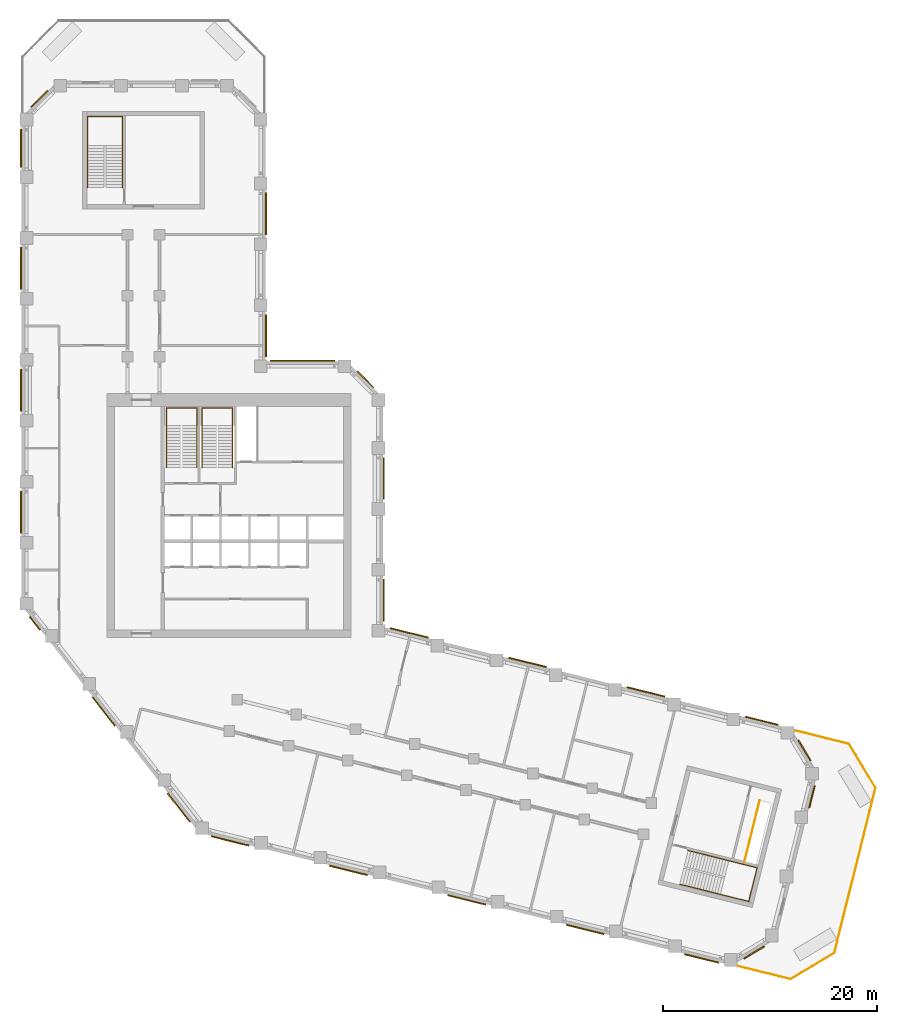
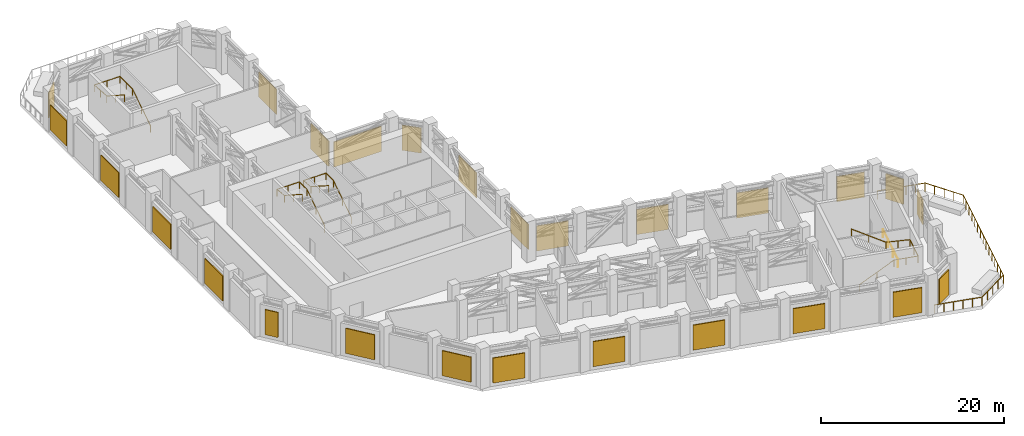
# One storey, part 13 of 14: 26 shading devices, 6 railings.
"""IFC4 building model written with IfcOpenShell, lengths in metres."""

from ifc_helpers import new_model, si_unit, direction, frame, origin, origin_2d, place, context, subcontext, project, spatial, rectangle, circle, extrude, material, layer, layer_set, type_object, element, save


model = new_model("IFC4")

# Units and contexts
model_context = context("Model", 3, precision=1e-05, world=origin(), true_north=direction((0.0, 1.0)))
body_context = subcontext(model_context, "Body", "Model", "MODEL_VIEW")
ifc_project = project(units=[si_unit("LENGTHUNIT", "METRE"), si_unit("AREAUNIT", "SQUARE_METRE"), si_unit("VOLUMEUNIT", "CUBIC_METRE"), si_unit("PLANEANGLEUNIT", "RADIAN"), si_unit("MASSUNIT", "GRAM", prefix="KILO")], contexts=[model_context])

# Site, building, storey
site_placement = place(None, origin())
site = spatial("IfcSite", under=ifc_project, at=site_placement, CompositionType="ELEMENT")
building_placement = place(site_placement, origin())
building = spatial("IfcBuilding", under=site, at=building_placement, Name="Meshkara Civic Tower", CompositionType="ELEMENT")
storey_placement = place(building_placement, frame((0.0, 0.0, 220.199951171875)))
storey = spatial("IfcBuildingStorey", under=building, at=storey_placement, Name="L50", CompositionType="ELEMENT", Elevation=220.199951171875)

# Shading devices
ifc_material_1 = material(Name="Bronze anodised aluminium louvre blades", Category="aluminium")
ifc_layer = layer(ifc_material_1, 0.1201171875)
ifc_layer_set = layer_set([ifc_layer], Name="PLANT LOUVRE BANK")
shading_device_type = type_object("IfcShadingDeviceType", Name="PLANT LOUVRE BANK", PredefinedType="USERDEFINED", material=ifc_layer_set)
shading_device_1_placement = place(storey_placement, frame((69.18701171875, 6.30908203125, 0.5), z_axis=(0.0, 0.0, 1.0), x_axis=(-0.970291503795, 0.241938830418, 0.0)))
element("IfcShadingDevice", 1, at=shading_device_1_placement, inside=storey, type_object=shading_device_type, Name="Louvre bank", ObjectType="LOUVRE", PredefinedType="USERDEFINED", context=body_context, shape_type="SweptSolid", body=[
    extrude(rectangle(XDim=3.159912109375, YDim=0.1201171875, at=origin_2d()), origin(), (0.0, 0.0, 1.0), 3.35009765625),
])
shading_device_2_placement = place(storey_placement, frame((58.361083984375, 9.009033203125, 0.5), z_axis=(0.0, 0.0, 1.0), x_axis=(-0.970291503795, 0.241938830418, 0.0)))
element("IfcShadingDevice", 2, at=shading_device_2_placement, inside=storey, type_object=shading_device_type, Name="Louvre bank", ObjectType="LOUVRE", PredefinedType="USERDEFINED", context=body_context, shape_type="SweptSolid", body=[
    extrude(rectangle(XDim=3.64501953125, YDim=0.1201171875, at=origin_2d()), origin(), (0.0, 0.0, 1.0), 3.35009765625),
])
for number, where, z_axis, x_axis, name in (
    (3, (47.300048828125, 11.76708984375, 0.5), (0.0, 0.0, 1.0), (-0.970291503795, 0.241938830418, 0.0), "Louvre bank"),
    (4, (36.239013671875, 14.52490234375, 0.5), (0.0, 0.0, 1.0), (-0.970291503795, 0.241938830418, 0.0), "Louvre bank"),
):
    element("IfcShadingDevice", number, at=place(storey_placement, frame(where, z_axis=z_axis, x_axis=x_axis)), inside=storey, type_object=shading_device_type, Name=name, ObjectType="LOUVRE", PredefinedType="USERDEFINED", context=body_context, shape_type="SweptSolid", body=[
        extrude(rectangle(XDim=3.64599609375, YDim=0.1201171875, at=origin_2d()), origin(), (0.0, 0.0, 1.0), 3.35009765625),
    ])
for number, where, z_axis, x_axis, name in (
    (5, (33.860107421875, 17.569091796875, 0.5), (0.0, 0.0, 1.0), (0.0, 1.0, 0.0), "Louvre bank"),
    (6, (33.860107421875, 28.968994140625, 0.5), (0.0, 0.0, 1.0), (0.0, 1.0, 0.0), "Louvre bank"),
):
    element("IfcShadingDevice", number, at=place(storey_placement, frame(where, z_axis=z_axis, x_axis=x_axis)), inside=storey, type_object=shading_device_type, Name=name, ObjectType="LOUVRE", PredefinedType="USERDEFINED", context=body_context, shape_type="SweptSolid", body=[
        extrude(rectangle(XDim=3.89990234375, YDim=0.1201171875, at=origin_2d()), origin(), (0.0, 0.0, 1.0), 3.35009765625),
    ])
shading_device_3_placement = place(storey_placement, frame((32.132080078125, 38.23193359375, 0.5), z_axis=(0.0, 0.0, 1.0), x_axis=(-0.707106781187, 0.707106781187, 0.0)))
element("IfcShadingDevice", 7, at=shading_device_3_placement, inside=storey, type_object=shading_device_type, Name="Louvre bank", ObjectType="LOUVRE", PredefinedType="USERDEFINED", context=body_context, shape_type="SweptSolid", body=[
    extrude(rectangle(XDim=2.166015625, YDim=0.1201171875, at=origin_2d()), origin(), (0.0, 0.0, 1.0), 3.35009765625),
])
shading_device_4_placement = place(storey_placement, frame((26.27197265625, 39.9599609375, 0.5), z_axis=(0.0, 0.0, 1.0), x_axis=(-1.0, 0.0, 0.0)))
element("IfcShadingDevice", 8, at=shading_device_4_placement, inside=storey, type_object=shading_device_type, Name="Louvre bank", ObjectType="LOUVRE", PredefinedType="USERDEFINED", context=body_context, shape_type="SweptSolid", body=[
    extrude(rectangle(XDim=6.0439453125, YDim=0.1201171875, at=origin_2d()), origin(), (0.0, 0.0, 1.0), 3.35009765625),
])
for number, where, z_axis, x_axis, name in (
    (9, (22.860107421875, 42.300048828125, 0.5), (0.0, 0.0, 1.0), (0.0, 1.0, 0.0), "Louvre bank"),
    (10, (22.860107421875, 53.699951171875, 0.5), (0.0, 0.0, 1.0), (0.0, 1.0, 0.0), "Louvre bank"),
):
    element("IfcShadingDevice", number, at=place(storey_placement, frame(where, z_axis=z_axis, x_axis=x_axis)), inside=storey, type_object=shading_device_type, Name=name, ObjectType="LOUVRE", PredefinedType="USERDEFINED", context=body_context, shape_type="SweptSolid", body=[
        extrude(rectangle(XDim=3.89990234375, YDim=0.1201171875, at=origin_2d()), origin(), (0.0, 0.0, 1.0), 3.35009765625),
    ])
shading_device_5_placement = place(storey_placement, frame((1.66796875, 64.451904296875, 0.5), z_axis=(0.0, 0.0, 1.0), x_axis=(-0.707106781187, -0.707106781187, 0.0)))
element("IfcShadingDevice", 11, at=shading_device_5_placement, inside=storey, type_object=shading_device_type, Name="Louvre bank", ObjectType="LOUVRE", PredefinedType="USERDEFINED", context=body_context, shape_type="SweptSolid", body=[
    extrude(rectangle(XDim=2.166015625, YDim=0.1201171875, at=origin_2d()), origin(), (0.0, 0.0, 1.0), 3.35009765625),
])
shading_device_6_placement = place(storey_placement, frame((-0.06005859375, 59.8349609375, 0.5), z_axis=(0.0, 0.0, 1.0), x_axis=(0.0, -1.0, 0.0)))
element("IfcShadingDevice", 12, at=shading_device_6_placement, inside=storey, type_object=shading_device_type, Name="Louvre bank", ObjectType="LOUVRE", PredefinedType="USERDEFINED", context=body_context, shape_type="SweptSolid", body=[
    extrude(rectangle(XDim=3.55908203125, YDim=0.1201171875, at=origin_2d()), origin(), (0.0, 0.0, 1.0), 3.35009765625),
])
for number, where, z_axis, x_axis, name in (
    (13, (-0.06005859375, 48.60498046875, 0.5), (0.0, 0.0, 1.0), (0.0, -1.0, 0.0), "Louvre bank"),
    (14, (-0.06005859375, 37.205078125, 0.5), (0.0, 0.0, 1.0), (0.0, -1.0, 0.0), "Louvre bank"),
    (15, (-0.06005859375, 25.804931640625, 0.5), (0.0, 0.0, 1.0), (0.0, -1.0, 0.0), "Louvre bank"),
):
    element("IfcShadingDevice", number, at=place(storey_placement, frame(where, z_axis=z_axis, x_axis=x_axis)), inside=storey, type_object=shading_device_type, Name=name, ObjectType="LOUVRE", PredefinedType="USERDEFINED", context=body_context, shape_type="SweptSolid", body=[
        extrude(rectangle(XDim=3.89990234375, YDim=0.1201171875, at=origin_2d()), origin(), (0.0, 0.0, 1.0), 3.35009765625),
    ])
shading_device_7_placement = place(storey_placement, frame((1.22998046875, 15.427978515625, 0.5), z_axis=(0.0, 0.0, 1.0), x_axis=(0.615661475326, -0.788010753607, 0.0)))
element("IfcShadingDevice", 16, at=shading_device_7_placement, inside=storey, type_object=shading_device_type, Name="Louvre bank", ObjectType="LOUVRE", PredefinedType="USERDEFINED", context=body_context, shape_type="SweptSolid", body=[
    extrude(rectangle(XDim=1.555908203125, YDim=0.1201171875, at=origin_2d()), origin(), (0.0, 0.0, 1.0), 3.35009765625),
])
for number, where, z_axis, x_axis, name in (
    (17, (7.676025390625, 7.177001953125, 0.5), (0.0, 0.0, 1.0), (0.615661475326, -0.788010753607, 0.0), "Louvre bank"),
    (18, (14.695068359375, -1.805908203125, 0.5), (0.0, 0.0, 1.0), (0.615661475326, -0.788010753607, 0.0), "Louvre bank"),
):
    element("IfcShadingDevice", number, at=place(storey_placement, frame(where, z_axis=z_axis, x_axis=x_axis)), inside=storey, type_object=shading_device_type, Name=name, ObjectType="LOUVRE", PredefinedType="USERDEFINED", context=body_context, shape_type="SweptSolid", body=[
        extrude(rectangle(XDim=3.416015625, YDim=0.1201171875, at=origin_2d()), origin(), (0.0, 0.0, 1.0), 3.35009765625),
    ])
for number, where, z_axis, x_axis, name in (
    (19, (19.492919921875, -4.922119140625, 0.5), (0.0, 0.0, 1.0), (0.970299948462, -0.241904960708, 0.0), "Louvre bank"),
    (20, (30.553955078125, -7.679931640625, 0.5), (0.0, 0.0, 1.0), (0.970299948462, -0.241904960708, 0.0), "Louvre bank"),
    (21, (41.615966796875, -10.43798828125, 0.5), (0.0, 0.0, 1.0), (0.970299948462, -0.241904960708, 0.0), "Louvre bank"),
    (22, (52.677001953125, -13.195068359375, 0.5), (0.0, 0.0, 1.0), (0.970299948462, -0.241904960708, 0.0), "Louvre bank"),
):
    element("IfcShadingDevice", number, at=place(storey_placement, frame(where, z_axis=z_axis, x_axis=x_axis)), inside=storey, type_object=shading_device_type, Name=name, ObjectType="LOUVRE", PredefinedType="USERDEFINED", context=body_context, shape_type="SweptSolid", body=[
        extrude(rectangle(XDim=3.64599609375, YDim=0.1201171875, at=origin_2d()), origin(), (0.0, 0.0, 1.0), 3.35009765625),
    ])
shading_device_8_placement = place(storey_placement, frame((63.572998046875, -15.912109375, 0.5), z_axis=(0.0, 0.0, 1.0), x_axis=(0.970299948462, -0.241904960708, 0.0)))
element("IfcShadingDevice", 23, at=shading_device_8_placement, inside=storey, type_object=shading_device_type, Name="Louvre bank", ObjectType="LOUVRE", PredefinedType="USERDEFINED", context=body_context, shape_type="SweptSolid", body=[
    extrude(rectangle(XDim=3.302978515625, YDim=0.1201171875, at=origin_2d()), origin(), (0.0, 0.0, 1.0), 3.35009765625),
])
shading_device_9_placement = place(storey_placement, frame((68.471923828125, -15.35302734375, 0.5), z_axis=(0.0, 0.0, 1.0), x_axis=(0.8571852784, 0.515008153813, 0.0)))
element("IfcShadingDevice", 24, at=shading_device_9_placement, inside=storey, type_object=shading_device_type, Name="Louvre bank", ObjectType="LOUVRE", PredefinedType="USERDEFINED", context=body_context, shape_type="SweptSolid", body=[
    extrude(rectangle(XDim=2.217041015625, YDim=0.1201171875, at=origin_2d()), origin(), (0.0, 0.0, 1.0), 3.35009765625),
])
shading_device_10_placement = place(storey_placement, frame((73.882080078125, -0.797119140625, 0.5), z_axis=(0.0, 0.0, 1.0), x_axis=(0.2419218956, 0.970295726276, 0.0)))
element("IfcShadingDevice", 25, at=shading_device_10_placement, inside=storey, type_object=shading_device_type, Name="Louvre bank", ObjectType="LOUVRE", PredefinedType="USERDEFINED", context=body_context, shape_type="SweptSolid", body=[
    extrude(rectangle(XDim=2.133056640625, YDim=0.1201171875, at=origin_2d()), origin(), (0.0, 0.0, 1.0), 3.35009765625),
])
shading_device_11_placement = place(storey_placement, frame((73.180908203125, 3.532958984375, 0.5), z_axis=(0.0, 0.0, 1.0), x_axis=(-0.515097915221, 0.857131342173, 0.0)))
element("IfcShadingDevice", 26, at=shading_device_11_placement, inside=storey, type_object=shading_device_type, Name="Louvre bank", ObjectType="LOUVRE", PredefinedType="USERDEFINED", context=body_context, shape_type="SweptSolid", body=[
    extrude(rectangle(XDim=2.216064453125, YDim=0.1201171875, at=origin_2d()), origin(), (0.0, 0.0, 1.0), 3.35009765625),
])

# Railings
ifc_material_2 = material(Name="Steel guard", Category="steel")
railing_type_1 = type_object("IfcRailingType", Name="Stair guard 1100", PredefinedType="GUARDRAIL", material=ifc_material_2)
railing_1_placement = place(storey_placement, frame((67.580078125, -6.85302734375, 0.0)))
element("IfcRailing", 27, at=railing_1_placement, inside=storey, type_object=railing_type_1, Name="L50 ESBT well guard", PredefinedType="GUARDRAIL", context=body_context, shape_type="SweptSolid", body=[
    extrude(circle(Radius=0.02392578125, at=origin_2d()), frame((0.0, 0.0, 1.076171875), z_axis=(0.241793138113, 0.970327820049, 0.0), x_axis=(-0.970327820049, 0.241793138113, 0.0)), (0.0, 0.0, 1.0), 5.880615234375),
    extrude(circle(Radius=0.02099609375, at=origin_2d()), origin(), (0.0, 0.0, 1.0), 1.052001953125),
    extrude(circle(Radius=0.02099609375, at=origin_2d()), frame((0.473876953125, 1.902099609375, 0.0)), (0.0, 0.0, 1.0), 1.052001953125),
    extrude(circle(Radius=0.02099609375, at=origin_2d()), frame((0.947998046875, 3.803955078125, 0.0)), (0.0, 0.0, 1.0), 1.052001953125),
    extrude(circle(Radius=0.02099609375, at=origin_2d()), frame((1.421875, 5.7060546875, 0.0)), (0.0, 0.0, 1.0), 1.052001953125),
])
ifc_material_3 = material(Name="Steel handrail", Category="steel")
railing_type_2 = type_object("IfcRailingType", Name="Stair handrail 900", PredefinedType="HANDRAIL", material=ifc_material_3)
railing_2_placement = place(storey_placement, frame((16.375, 30.0, 0.179931640625)))
element("IfcRailing", 28, at=railing_2_placement, inside=storey, type_object=railing_type_2, Name="L50 ST1 stair handrail 1", PredefinedType="HANDRAIL", context=body_context, shape_type="SweptSolid", body=[
    extrude(circle(Radius=0.02392578125, at=origin_2d()), frame((0.0, 0.0, 0.8759765625), z_axis=(0.0, 0.841171666519, 0.540768182723), x_axis=(-1.0, 0.0, 0.0)), (0.0, 0.0, 1.0), 4.66015625),
    extrude(circle(Radius=0.02392578125, at=origin_2d()), frame((0.0, 3.919921875, 3.39599609375), z_axis=(0.0, 1.0, 0.0), x_axis=(-1.0, 0.0, 0.0)), (0.0, 0.0, 1.0), 1.630126953125),
    extrude(circle(Radius=0.02392578125, at=origin_2d()), frame((0.0, 5.550048828125, 3.39599609375), z_axis=(-1.0, 0.0, 0.0), x_axis=(0.0, -1.0, 0.0)), (0.0, 0.0, 1.0), 2.85009765625),
    extrude(circle(Radius=0.02392578125, at=origin_2d()), frame((-2.85009765625, 5.550048828125, 3.39599609375), z_axis=(0.0, -0.993947108537, 0.109859662438), x_axis=(1.0, 0.0, 0.0)), (0.0, 0.0, 1.0), 1.64013671875),
    extrude(circle(Radius=0.02392578125, at=origin_2d()), frame((-2.85009765625, 3.919921875, 3.576171875), z_axis=(0.0, -0.841171666519, 0.540768182723), x_axis=(1.0, 0.0, 0.0)), (0.0, 0.0, 1.0), 4.66015625),
    extrude(circle(Radius=0.02099609375, at=origin_2d()), origin(), (0.0, 0.0, 1.0), 0.851806640625),
    extrude(circle(Radius=0.02099609375, at=origin_2d()), frame((0.0, 1.9599609375, 1.260009765625)), (0.0, 0.0, 1.0), 0.851806640625),
    extrude(circle(Radius=0.02099609375, at=origin_2d()), frame((0.0, 3.919921875, 2.52001953125)), (0.0, 0.0, 1.0), 0.851806640625),
    extrude(circle(Radius=0.02099609375, at=origin_2d()), frame((0.0, 5.550048828125, 2.52001953125)), (0.0, 0.0, 1.0), 0.851806640625),
    extrude(circle(Radius=0.02099609375, at=origin_2d()), frame((-1.425048828125, 5.550048828125, 2.52001953125)), (0.0, 0.0, 1.0), 0.851806640625),
    extrude(circle(Radius=0.02099609375, at=origin_2d()), frame((-2.85009765625, 5.550048828125, 2.52001953125)), (0.0, 0.0, 1.0), 0.851806640625),
    extrude(circle(Radius=0.02099609375, at=origin_2d()), frame((-2.85009765625, 3.919921875, 2.7001953125)), (0.0, 0.0, 1.0), 0.851806640625),
    extrude(circle(Radius=0.02099609375, at=origin_2d()), frame((-2.85009765625, 1.9599609375, 3.960205078125)), (0.0, 0.0, 1.0), 0.851806640625),
    extrude(circle(Radius=0.02099609375, at=origin_2d()), frame((-2.85009765625, 0.0, 5.22021484375)), (0.0, 0.0, 1.0), 0.851806640625),
])
railing_3_placement = place(storey_placement, frame((19.72509765625, 30.0, 0.179931640625)))
element("IfcRailing", 29, at=railing_3_placement, inside=storey, type_object=railing_type_2, Name="L50 ST2 stair handrail 1", PredefinedType="HANDRAIL", context=body_context, shape_type="SweptSolid", body=[
    extrude(circle(Radius=0.02392578125, at=origin_2d()), frame((0.0, 0.0, 0.8759765625), z_axis=(0.0, 0.841171666519, 0.540768182723), x_axis=(-1.0, 0.0, 0.0)), (0.0, 0.0, 1.0), 4.66015625),
    extrude(circle(Radius=0.02392578125, at=origin_2d()), frame((0.0, 3.919921875, 3.39599609375), z_axis=(0.0, 1.0, 0.0), x_axis=(-1.0, 0.0, 0.0)), (0.0, 0.0, 1.0), 1.630126953125),
    extrude(circle(Radius=0.02392578125, at=origin_2d()), frame((0.0, 5.550048828125, 3.39599609375), z_axis=(-1.0, 0.0, 0.0), x_axis=(0.0, -1.0, 0.0)), (0.0, 0.0, 1.0), 2.85009765625),
    extrude(circle(Radius=0.02392578125, at=origin_2d()), frame((-2.85009765625, 5.550048828125, 3.39599609375), z_axis=(0.0, -0.993947108537, 0.109859662438), x_axis=(1.0, 0.0, 0.0)), (0.0, 0.0, 1.0), 1.64013671875),
    extrude(circle(Radius=0.02392578125, at=origin_2d()), frame((-2.85009765625, 3.919921875, 3.576171875), z_axis=(0.0, -0.841171666519, 0.540768182723), x_axis=(1.0, 0.0, 0.0)), (0.0, 0.0, 1.0), 4.66015625),
    extrude(circle(Radius=0.02099609375, at=origin_2d()), origin(), (0.0, 0.0, 1.0), 0.851806640625),
    extrude(circle(Radius=0.02099609375, at=origin_2d()), frame((0.0, 1.9599609375, 1.260009765625)), (0.0, 0.0, 1.0), 0.851806640625),
    extrude(circle(Radius=0.02099609375, at=origin_2d()), frame((0.0, 3.919921875, 2.52001953125)), (0.0, 0.0, 1.0), 0.851806640625),
    extrude(circle(Radius=0.02099609375, at=origin_2d()), frame((0.0, 5.550048828125, 2.52001953125)), (0.0, 0.0, 1.0), 0.851806640625),
    extrude(circle(Radius=0.02099609375, at=origin_2d()), frame((-1.425048828125, 5.550048828125, 2.52001953125)), (0.0, 0.0, 1.0), 0.851806640625),
    extrude(circle(Radius=0.02099609375, at=origin_2d()), frame((-2.85009765625, 5.550048828125, 2.52001953125)), (0.0, 0.0, 1.0), 0.851806640625),
    extrude(circle(Radius=0.02099609375, at=origin_2d()), frame((-2.85009765625, 3.919921875, 2.7001953125)), (0.0, 0.0, 1.0), 0.851806640625),
    extrude(circle(Radius=0.02099609375, at=origin_2d()), frame((-2.85009765625, 1.9599609375, 3.960205078125)), (0.0, 0.0, 1.0), 0.851806640625),
    extrude(circle(Radius=0.02099609375, at=origin_2d()), frame((-2.85009765625, 0.0, 5.22021484375)), (0.0, 0.0, 1.0), 0.851806640625),
])
railing_4_placement = place(storey_placement, frame((9.425048828125, 56.169921875, 0.179931640625)))
element("IfcRailing", 30, at=railing_4_placement, inside=storey, type_object=railing_type_2, Name="L50 ESA4 stair handrail 1", PredefinedType="HANDRAIL", context=body_context, shape_type="SweptSolid", body=[
    extrude(circle(Radius=0.02392578125, at=origin_2d()), frame((0.0, 0.0, 0.8759765625), z_axis=(0.0, 0.841186985886, 0.540744352514), x_axis=(-1.0, 0.0, 0.0)), (0.0, 0.0, 1.0), 4.660400390625),
    extrude(circle(Radius=0.02392578125, at=origin_2d()), frame((0.0, 3.920166015625, 3.39599609375), z_axis=(0.0, 1.0, 0.0), x_axis=(-1.0, 0.0, 0.0)), (0.0, 0.0, 1.0), 2.72998046875),
    extrude(circle(Radius=0.02392578125, at=origin_2d()), frame((0.0, 6.650146484375, 3.39599609375), z_axis=(-1.0, 0.0, 0.0), x_axis=(0.0, -1.0, 0.0)), (0.0, 0.0, 1.0), 3.25),
    extrude(circle(Radius=0.02392578125, at=origin_2d()), frame((-3.25, 6.650146484375, 3.39599609375), z_axis=(0.0, -0.997829160162, 0.065855653747), x_axis=(1.0, 0.0, 0.0)), (0.0, 0.0, 1.0), 2.73583984375),
    extrude(circle(Radius=0.02392578125, at=origin_2d()), frame((-3.25, 3.920166015625, 3.576171875), z_axis=(0.0, -0.841186985886, 0.540744352514), x_axis=(1.0, 0.0, 0.0)), (0.0, 0.0, 1.0), 4.660400390625),
    extrude(circle(Radius=0.02099609375, at=origin_2d()), origin(), (0.0, 0.0, 1.0), 0.851806640625),
    extrude(circle(Radius=0.02099609375, at=origin_2d()), frame((0.0, 1.9599609375, 1.260009765625)), (0.0, 0.0, 1.0), 0.851806640625),
    extrude(circle(Radius=0.02099609375, at=origin_2d()), frame((0.0, 3.920166015625, 2.52001953125)), (0.0, 0.0, 1.0), 0.851806640625),
    extrude(circle(Radius=0.02099609375, at=origin_2d()), frame((0.0, 5.28515625, 2.52001953125)), (0.0, 0.0, 1.0), 0.851806640625),
    extrude(circle(Radius=0.02099609375, at=origin_2d()), frame((0.0, 6.650146484375, 2.52001953125)), (0.0, 0.0, 1.0), 0.851806640625),
    extrude(circle(Radius=0.02099609375, at=origin_2d()), frame((-1.625, 6.650146484375, 2.52001953125)), (0.0, 0.0, 1.0), 0.851806640625),
    extrude(circle(Radius=0.02099609375, at=origin_2d()), frame((-3.25, 6.650146484375, 2.52001953125)), (0.0, 0.0, 1.0), 0.851806640625),
    extrude(circle(Radius=0.02099609375, at=origin_2d()), frame((-3.25, 5.28515625, 2.610107421875)), (0.0, 0.0, 1.0), 0.851806640625),
    extrude(circle(Radius=0.02099609375, at=origin_2d()), frame((-3.25, 3.920166015625, 2.7001953125)), (0.0, 0.0, 1.0), 0.851806640625),
    extrude(circle(Radius=0.02099609375, at=origin_2d()), frame((-3.25, 1.9599609375, 3.960205078125)), (0.0, 0.0, 1.0), 0.851806640625),
    extrude(circle(Radius=0.02099609375, at=origin_2d()), frame((-3.25, 0.0, 5.22021484375)), (0.0, 0.0, 1.0), 0.851806640625),
])
railing_5_placement = place(storey_placement, frame((61.526123046875, -8.97607421875, 0.179931640625)))
element("IfcRailing", 31, at=railing_5_placement, inside=storey, type_object=railing_type_2, Name="L50 ESB4 stair handrail 1", PredefinedType="HANDRAIL", context=body_context, shape_type="SweptSolid", body=[
    extrude(circle(Radius=0.02392578125, at=origin_2d()), frame((0.0, 0.0, 0.8759765625), z_axis=(0.816169267298, -0.203583912492, 0.540759944608), x_axis=(0.242022691489, 0.970270589477, 0.0)), (0.0, 0.0, 1.0), 4.66015625),
    extrude(circle(Radius=0.02392578125, at=origin_2d()), frame((3.803466796875, -0.94873046875, 3.39599609375), z_axis=(0.970252874907, -0.242093698255, 0.0), x_axis=(0.242093698255, 0.970252874907, 0.0)), (0.0, 0.0, 1.0), 2.72998046875),
    extrude(circle(Radius=0.02392578125, at=origin_2d()), frame((6.4521484375, -1.609619140625, 3.39599609375), z_axis=(0.242040676986, 0.970266103027, 0.0), x_axis=(-0.970266103027, 0.242040676986, 0.0)), (0.0, 0.0, 1.0), 3.25),
    extrude(circle(Radius=0.02392578125, at=origin_2d()), frame((7.23876953125, 1.543701171875, 3.39599609375), z_axis=(-0.968146469022, 0.241568116107, 0.065857875762), x_axis=(-0.242093698255, -0.970252874907, 0.0)), (0.0, 0.0, 1.0), 2.73583984375),
    extrude(circle(Radius=0.02392578125, at=origin_2d()), frame((4.590087890625, 2.20458984375, 3.576171875), z_axis=(-0.816169267298, 0.203583912492, 0.540759944608), x_axis=(-0.242022691489, -0.970270589477, 0.0)), (0.0, 0.0, 1.0), 4.66015625),
    extrude(circle(Radius=0.02099609375, at=origin_2d()), origin(), (0.0, 0.0, 1.0), 0.851806640625),
    extrude(circle(Radius=0.02099609375, at=origin_2d()), frame((1.90185546875, -0.474365234375, 1.260009765625)), (0.0, 0.0, 1.0), 0.851806640625),
    extrude(circle(Radius=0.02099609375, at=origin_2d()), frame((3.803466796875, -0.94873046875, 2.52001953125)), (0.0, 0.0, 1.0), 0.851806640625),
    extrude(circle(Radius=0.02099609375, at=origin_2d()), frame((5.1279296875, -1.279296875, 2.52001953125)), (0.0, 0.0, 1.0), 0.851806640625),
    extrude(circle(Radius=0.02099609375, at=origin_2d()), frame((6.4521484375, -1.609619140625, 2.52001953125)), (0.0, 0.0, 1.0), 0.851806640625),
    extrude(circle(Radius=0.02099609375, at=origin_2d()), frame((6.845458984375, -0.032958984375, 2.52001953125)), (0.0, 0.0, 1.0), 0.851806640625),
    extrude(circle(Radius=0.02099609375, at=origin_2d()), frame((7.23876953125, 1.543701171875, 2.52001953125)), (0.0, 0.0, 1.0), 0.851806640625),
    extrude(circle(Radius=0.02099609375, at=origin_2d()), frame((5.91455078125, 1.8740234375, 2.610107421875)), (0.0, 0.0, 1.0), 0.851806640625),
    extrude(circle(Radius=0.02099609375, at=origin_2d()), frame((4.590087890625, 2.20458984375, 2.7001953125)), (0.0, 0.0, 1.0), 0.851806640625),
    extrude(circle(Radius=0.02099609375, at=origin_2d()), frame((2.6884765625, 2.678955078125, 3.960205078125)), (0.0, 0.0, 1.0), 0.851806640625),
    extrude(circle(Radius=0.02099609375, at=origin_2d()), frame((0.78662109375, 3.1533203125, 5.22021484375)), (0.0, 0.0, 1.0), 0.851806640625),
])
ifc_material_4 = material(Name="Steel S355", Category="steel")
railing_type_3 = type_object("IfcRailingType", Name="TERRACE BALUSTRADE 1150", PredefinedType="BALUSTRADE", material=ifc_material_4)
railing_6_placement = place(storey_placement, frame((72.072021484375, 5.4560546875, 0.0)))
element("IfcRailing", 32, at=railing_6_placement, inside=storey, type_object=railing_type_3, Name="Terrace guard", PredefinedType="BALUSTRADE", context=body_context, shape_type="SweptSolid", body=[
    extrude(circle(Radius=0.02392578125, at=origin_2d()), frame((0.0, 0.0, 1.1259765625), z_axis=(0.970292231073, -0.24193591366, 0.0), x_axis=(0.24193591366, 0.970292231073, 0.0)), (0.0, 0.0, 1.0), 5.460205078125),
    extrude(circle(Radius=0.02392578125, at=origin_2d()), frame((5.298095703125, -1.321044921875, 1.1259765625), z_axis=(0.515104336277, -0.85712748337, 0.0), x_axis=(0.85712748337, 0.515104336277, 0.0)), (0.0, 0.0, 1.0), 4.777587890625),
    extrude(circle(Radius=0.02392578125, at=origin_2d()), frame((7.759033203125, -5.416015625, 1.1259765625), z_axis=(-0.241925088376, -0.970294930222, 0.0), x_axis=(0.970294930222, -0.241925088376, 0.0)), (0.0, 0.0, 1.0), 15.90234375),
    extrude(circle(Radius=0.02392578125, at=origin_2d()), frame((3.911865234375, -20.845947265625, 1.1259765625), z_axis=(-0.857159149166, -0.515051641101, 0.0), x_axis=(0.515051641101, -0.857159149166, 0.0)), (0.0, 0.0, 1.0), 4.778564453125),
    extrude(circle(Radius=0.02392578125, at=origin_2d()), frame((-0.18408203125, -23.30712890625, 1.1259765625), z_axis=(-0.970289613784, 0.241946410147, 0.0), x_axis=(-0.241946410147, -0.970289613784, 0.0)), (0.0, 0.0, 1.0), 5.4599609375),
    extrude(circle(Radius=0.02099609375, at=origin_2d()), origin(), (0.0, 0.0, 1.0), 1.101806640625),
    extrude(circle(Radius=0.02099609375, at=origin_2d()), frame((1.0595703125, -0.26416015625, 0.0)), (0.0, 0.0, 1.0), 1.101806640625),
    extrude(circle(Radius=0.02099609375, at=origin_2d()), frame((2.119140625, -0.5283203125, 0.0)), (0.0, 0.0, 1.0), 1.101806640625),
    extrude(circle(Radius=0.02099609375, at=origin_2d()), frame((3.178955078125, -0.792724609375, 0.0)), (0.0, 0.0, 1.0), 1.101806640625),
    extrude(circle(Radius=0.02099609375, at=origin_2d()), frame((4.238525390625, -1.056884765625, 0.0)), (0.0, 0.0, 1.0), 1.101806640625),
    extrude(circle(Radius=0.02099609375, at=origin_2d()), frame((5.298095703125, -1.321044921875, 0.0)), (0.0, 0.0, 1.0), 1.101806640625),
    extrude(circle(Radius=0.02099609375, at=origin_2d()), frame((5.913330078125, -2.3447265625, 0.0)), (0.0, 0.0, 1.0), 1.101806640625),
    extrude(circle(Radius=0.02099609375, at=origin_2d()), frame((6.528564453125, -3.36865234375, 0.0)), (0.0, 0.0, 1.0), 1.101806640625),
    extrude(circle(Radius=0.02099609375, at=origin_2d()), frame((7.143798828125, -4.392333984375, 0.0)), (0.0, 0.0, 1.0), 1.101806640625),
    extrude(circle(Radius=0.02099609375, at=origin_2d()), frame((7.759033203125, -5.416015625, 0.0)), (0.0, 0.0, 1.0), 1.101806640625),
    extrude(circle(Radius=0.02099609375, at=origin_2d()), frame((7.484130859375, -6.51806640625, 0.0)), (0.0, 0.0, 1.0), 1.101806640625),
    extrude(circle(Radius=0.02099609375, at=origin_2d()), frame((7.20947265625, -7.620361328125, 0.0)), (0.0, 0.0, 1.0), 1.101806640625),
    extrude(circle(Radius=0.02099609375, at=origin_2d()), frame((6.9345703125, -8.722412109375, 0.0)), (0.0, 0.0, 1.0), 1.101806640625),
    extrude(circle(Radius=0.02099609375, at=origin_2d()), frame((6.659912109375, -9.824462890625, 0.0)), (0.0, 0.0, 1.0), 1.101806640625),
    extrude(circle(Radius=0.02099609375, at=origin_2d()), frame((6.385009765625, -10.9267578125, 0.0)), (0.0, 0.0, 1.0), 1.101806640625),
    extrude(circle(Radius=0.02099609375, at=origin_2d()), frame((6.1103515625, -12.02880859375, 0.0)), (0.0, 0.0, 1.0), 1.101806640625),
    extrude(circle(Radius=0.02099609375, at=origin_2d()), frame((5.83544921875, -13.130859375, 0.0)), (0.0, 0.0, 1.0), 1.101806640625),
    extrude(circle(Radius=0.02099609375, at=origin_2d()), frame((5.560546875, -14.233154296875, 0.0)), (0.0, 0.0, 1.0), 1.101806640625),
    extrude(circle(Radius=0.02099609375, at=origin_2d()), frame((5.285888671875, -15.335205078125, 0.0)), (0.0, 0.0, 1.0), 1.101806640625),
    extrude(circle(Radius=0.02099609375, at=origin_2d()), frame((5.010986328125, -16.4375, 0.0)), (0.0, 0.0, 1.0), 1.101806640625),
    extrude(circle(Radius=0.02099609375, at=origin_2d()), frame((4.736328125, -17.53955078125, 0.0)), (0.0, 0.0, 1.0), 1.101806640625),
    extrude(circle(Radius=0.02099609375, at=origin_2d()), frame((4.46142578125, -18.6416015625, 0.0)), (0.0, 0.0, 1.0), 1.101806640625),
    extrude(circle(Radius=0.02099609375, at=origin_2d()), frame((4.186767578125, -19.743896484375, 0.0)), (0.0, 0.0, 1.0), 1.101806640625),
    extrude(circle(Radius=0.02099609375, at=origin_2d()), frame((3.911865234375, -20.845947265625, 0.0)), (0.0, 0.0, 1.0), 1.101806640625),
    extrude(circle(Radius=0.02099609375, at=origin_2d()), frame((2.887939453125, -21.461181640625, 0.0)), (0.0, 0.0, 1.0), 1.101806640625),
    extrude(circle(Radius=0.02099609375, at=origin_2d()), frame((1.86376953125, -22.07666015625, 0.0)), (0.0, 0.0, 1.0), 1.101806640625),
    extrude(circle(Radius=0.02099609375, at=origin_2d()), frame((0.83984375, -22.69189453125, 0.0)), (0.0, 0.0, 1.0), 1.101806640625),
    extrude(circle(Radius=0.02099609375, at=origin_2d()), frame((-0.18408203125, -23.30712890625, 0.0)), (0.0, 0.0, 1.0), 1.101806640625),
    extrude(circle(Radius=0.02099609375, at=origin_2d()), frame((-1.24365234375, -23.04296875, 0.0)), (0.0, 0.0, 1.0), 1.101806640625),
    extrude(circle(Radius=0.02099609375, at=origin_2d()), frame((-2.30322265625, -22.77880859375, 0.0)), (0.0, 0.0, 1.0), 1.101806640625),
    extrude(circle(Radius=0.02099609375, at=origin_2d()), frame((-3.36279296875, -22.514404296875, 0.0)), (0.0, 0.0, 1.0), 1.101806640625),
    extrude(circle(Radius=0.02099609375, at=origin_2d()), frame((-4.42236328125, -22.250244140625, 0.0)), (0.0, 0.0, 1.0), 1.101806640625),
    extrude(circle(Radius=0.02099609375, at=origin_2d()), frame((-5.48193359375, -21.986083984375, 0.0)), (0.0, 0.0, 1.0), 1.101806640625),
])

save(model, "model.ifc")
